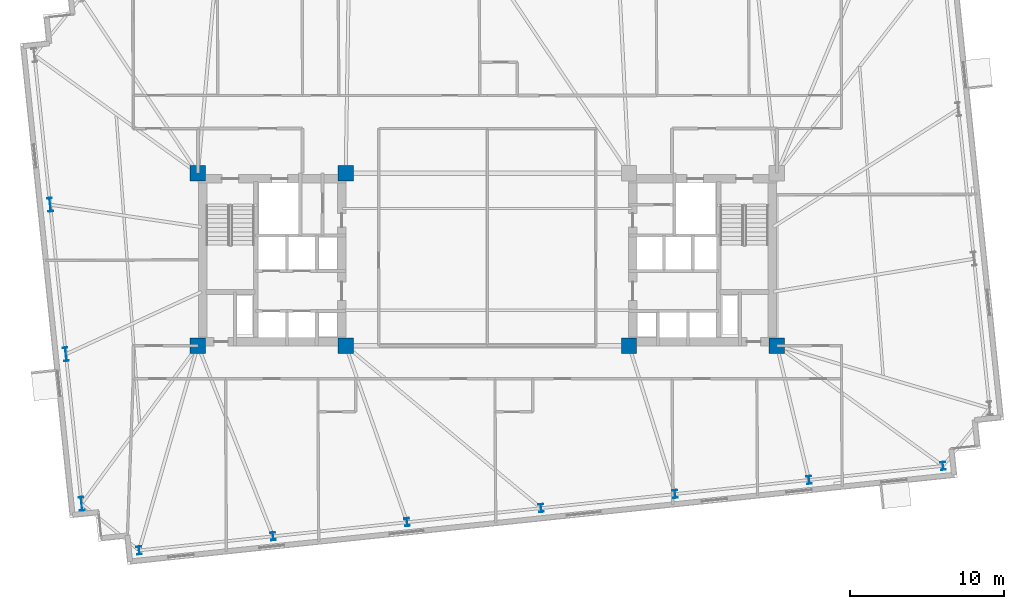
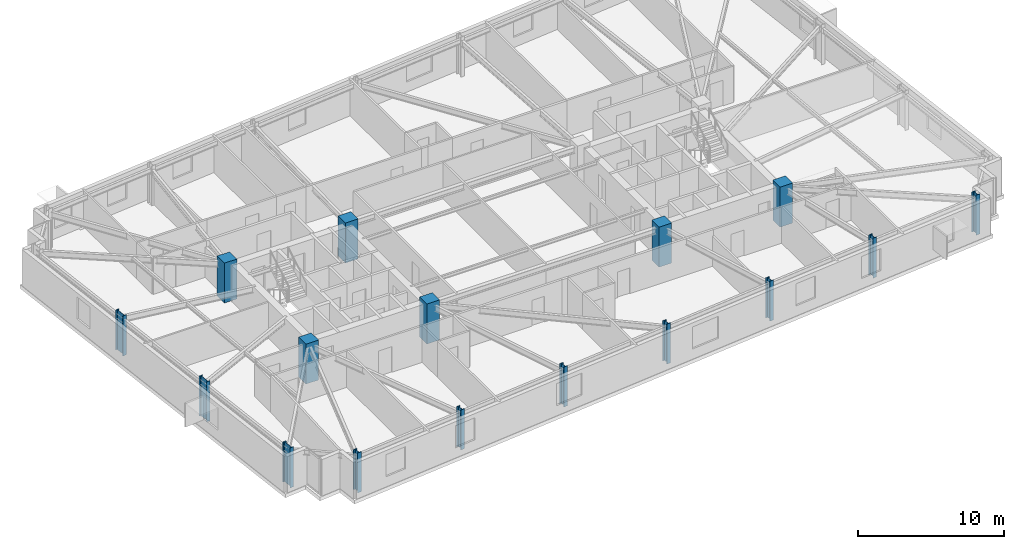
# One storey, part 1 of 18: 16 columns.
"""IFC4 building model written with IfcOpenShell, lengths in metres."""

from ifc_helpers import new_model, si_unit, direction, frame, origin, origin_2d, place, context, subcontext, project, spatial, rectangle, i_section, extrude, material, material_profile, profile_set, type_object, element, save


model = new_model("IFC4")

# Units and contexts
model_context = context("Model", 3, precision=1e-05, world=origin(), true_north=direction((0.0, 1.0)))
body_context = subcontext(model_context, "Body", "Model", "MODEL_VIEW")
ifc_project = project(units=[si_unit("LENGTHUNIT", "METRE"), si_unit("AREAUNIT", "SQUARE_METRE"), si_unit("VOLUMEUNIT", "CUBIC_METRE"), si_unit("PLANEANGLEUNIT", "RADIAN"), si_unit("MASSUNIT", "GRAM", prefix="KILO")], contexts=[model_context])

# Site, building, storey
site_placement = place(None, origin())
site = spatial("IfcSite", under=ifc_project, at=site_placement, CompositionType="ELEMENT")
building_placement = place(site_placement, origin())
building = spatial("IfcBuilding", under=site, at=building_placement, Name="Qobustan Lattice House", CompositionType="ELEMENT")
storey_placement = place(building_placement, frame((0.0, 0.0, 109.14990234375)))
storey = spatial("IfcBuildingStorey", under=building, at=storey_placement, Name="L30", CompositionType="ELEMENT", Elevation=109.14990234375)

# Columns
ifc_material_1 = material(Name="Concrete C60/75", Category="concrete")
ifc_material_profile_1 = material_profile(ifc_material_1, rectangle(XDim=1.0, YDim=1.0, at=origin_2d()), Name="RC1000x1000")
ifc_profile_set_1 = profile_set([ifc_material_profile_1], Name="Concrete C60/75")
column_type_1 = type_object("IfcColumnType", Name="COL-RC-1000", PredefinedType="COLUMN", material=ifc_profile_set_1)
for number, where, z_axis, x_axis, name in (
    (1, (-18.800048828125, -5.60009765625, 0.0), (0.0, 0.0, 1.0), (1.0, 0.0, 0.0), "L30 core mega-column CW-SW"),
    (2, (-18.800048828125, 5.60009765625, 0.0), (0.0, 0.0, 1.0), (1.0, 0.0, 0.0), "L30 core mega-column CW-NW"),
    (3, (-9.199951171875, -5.60009765625, 0.0), (0.0, 0.0, 1.0), (1.0, 0.0, 0.0), "L30 core mega-column CW-SE"),
    (4, (-9.199951171875, 5.60009765625, 0.0), (0.0, 0.0, 1.0), (1.0, 0.0, 0.0), "L30 core mega-column CW-NE"),
    (5, (9.199951171875, -5.60009765625, 0.0), (0.0, 0.0, 1.0), (1.0, 0.0, 0.0), "L30 core mega-column CE-SW"),
    (6, (18.800048828125, -5.60009765625, 0.0), (0.0, 0.0, 1.0), (1.0, 0.0, 0.0), "L30 core mega-column CE-SE"),
):
    element("IfcColumn", number, at=place(storey_placement, frame(where, z_axis=z_axis, x_axis=x_axis)), inside=storey, type_object=column_type_1, Name=name, PredefinedType="COLUMN", context=body_context, shape_type="SweptSolid", body=[
        extrude(rectangle(XDim=1.0, YDim=1.0, at=origin_2d()), origin(), (0.0, 0.0, 1.0), 3.35009765625),
    ])
ifc_material_2 = material(Name="Steel S355", Category="steel")
ifc_material_profile_2 = material_profile(ifc_material_2, i_section(OverallWidth=0.300048828125, OverallDepth=0.89990234375, WebThickness=0.0185546875, FlangeThickness=0.034912109375, FilletRadius=0.030029296875, at=origin_2d()), Name="HEB900")
ifc_profile_set_2 = profile_set([ifc_material_profile_2], Name="Steel S355")
column_type_2 = type_object("IfcColumnType", Name="COL-ST-HEB900", PredefinedType="COLUMN", material=ifc_profile_set_2)
for number, where, z_axis, x_axis, name in (
    (7, (-28.39794921875, 3.557373046875, 0.0), (0.0, 0.0, 1.0), (0.994521895368, 0.104528463268, 0.0), "L30 B2 perimeter column W2"),
    (8, (-27.377197265625, -6.156005859375, 0.0), (0.0, 0.0, 1.0), (0.994521895368, 0.104528463268, 0.0), "L30 B2 perimeter column W3"),
    (9, (-26.356201171875, -15.868896484375, 0.0), (0.0, 0.0, 1.0), (0.994521895368, 0.104528463268, 0.0), "L30 B2 perimeter column W4"),
):
    element("IfcColumn", number, at=place(storey_placement, frame(where, z_axis=z_axis, x_axis=x_axis)), inside=storey, type_object=column_type_2, Name=name, PredefinedType="COLUMN", context=body_context, shape_type="SweptSolid", body=[
        extrude(i_section(OverallWidth=0.300048828125, OverallDepth=0.89990234375, WebThickness=0.0185546875, FlangeThickness=0.034912109375, FilletRadius=0.030029296875, at=origin_2d()), origin(), (0.0, 0.0, 1.0), 3.35009765625),
    ])
ifc_material_3 = material(Name="Steel S355", Category="steel")
ifc_material_profile_3 = material_profile(ifc_material_3, i_section(OverallWidth=0.305908203125, OverallDepth=0.52392578125, WebThickness=0.02099609375, FlangeThickness=0.0400390625, FilletRadius=0.027099609375, at=origin_2d()), Name="HEM500")
ifc_profile_set_3 = profile_set([ifc_material_profile_3], Name="Steel S355")
column_type_3 = type_object("IfcColumnType", Name="COL-ST-HEM500", PredefinedType="COLUMN", material=ifc_profile_set_3)
for number, where, z_axis, x_axis, name in (
    (10, (-22.619384765625, -18.89501953125, 0.0), (0.0, 0.0, 1.0), (0.994521895368, 0.104528463268, 0.0), "L30 B2 perimeter column S1"),
    (11, (-13.91748046875, -17.98046875, 0.0), (0.0, 0.0, 1.0), (0.994521895368, 0.104528463268, 0.0), "L30 B2 perimeter column S2"),
    (12, (-5.21533203125, -17.065673828125, 0.0), (0.0, 0.0, 1.0), (0.994521895368, 0.104528463268, 0.0), "L30 B2 perimeter column S3"),
    (13, (3.48681640625, -16.151123046875, 0.0), (0.0, 0.0, 1.0), (0.994521895368, 0.104528463268, 0.0), "L30 B2 perimeter column S4"),
    (14, (12.188720703125, -15.236572265625, 0.0), (0.0, 0.0, 1.0), (0.994521895368, 0.104528463268, 0.0), "L30 B2 perimeter column S5"),
    (15, (20.890869140625, -14.322021484375, 0.0), (0.0, 0.0, 1.0), (0.994521895368, 0.104528463268, 0.0), "L30 B2 perimeter column S6"),
    (16, (29.593017578125, -13.4072265625, 0.0), (0.0, 0.0, 1.0), (0.994521895368, 0.104528463268, 0.0), "L30 B2 perimeter column S7"),
):
    element("IfcColumn", number, at=place(storey_placement, frame(where, z_axis=z_axis, x_axis=x_axis)), inside=storey, type_object=column_type_3, Name=name, PredefinedType="COLUMN", context=body_context, shape_type="SweptSolid", body=[
        extrude(i_section(OverallWidth=0.305908203125, OverallDepth=0.52392578125, WebThickness=0.02099609375, FlangeThickness=0.0400390625, FilletRadius=0.027099609375, at=origin_2d()), origin(), (0.0, 0.0, 1.0), 3.35009765625),
    ])

save(model, "model.ifc")
